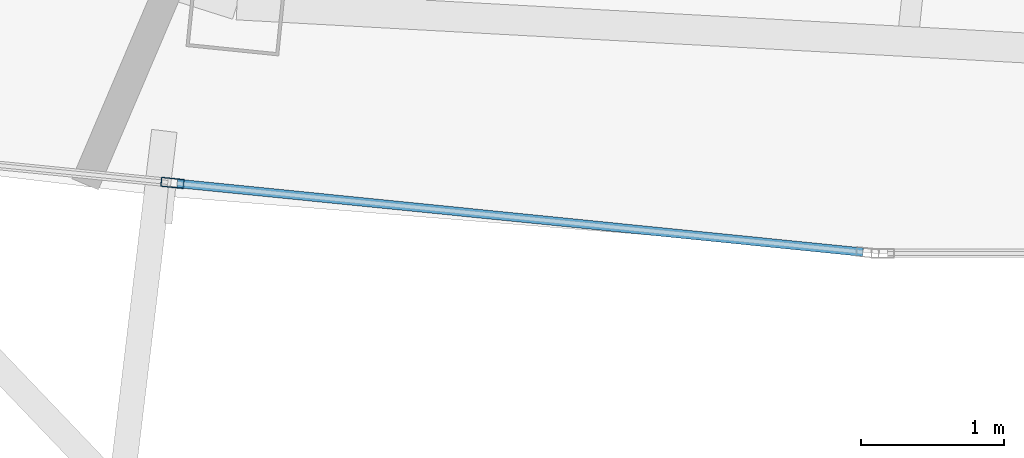
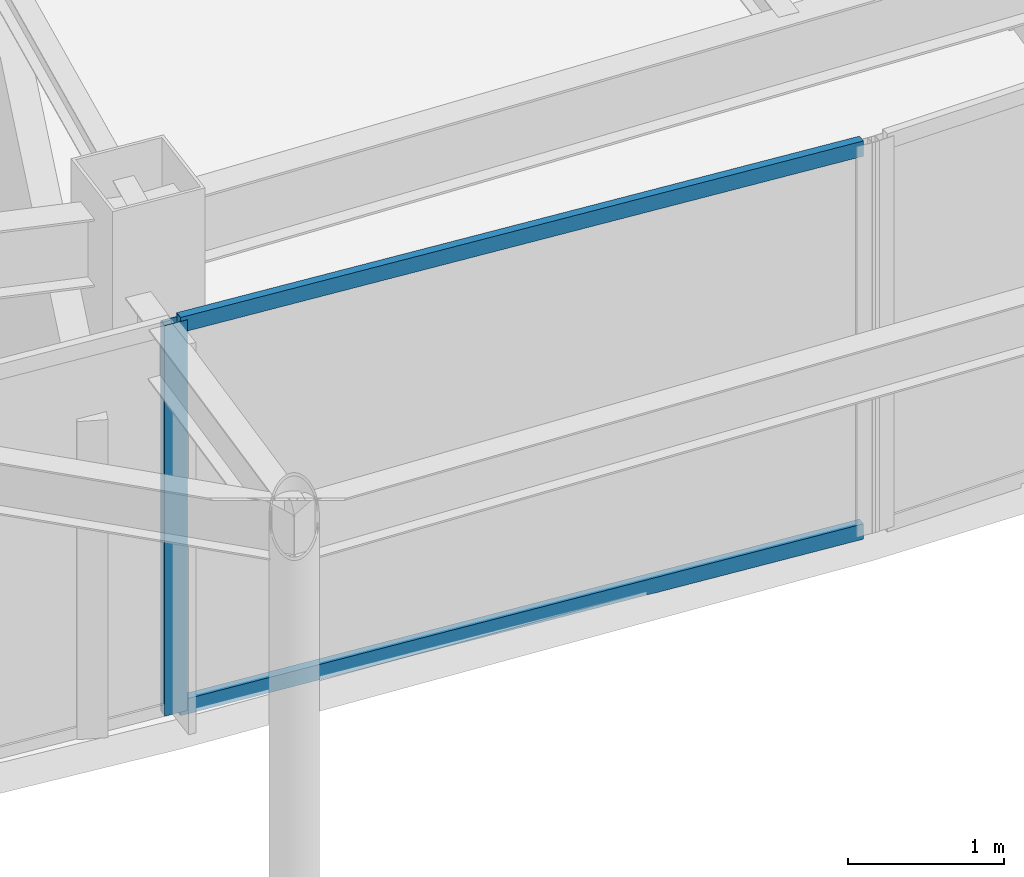
# One storey, part 4 of 28: 3 members, 1 element without a shape of its own.
"""IFC4 building model written with IfcOpenShell, lengths in metres."""

from ifc_helpers import new_model, si_unit, direction, frame, origin, origin_2d, place, context, subcontext, project, spatial, hollow_rectangle, extrude, material, layer, layer_set, material_profile, profile_set, type_object, element, aggregate, save


model = new_model("IFC4")

# Units and contexts
model_context = context("Model", 3, precision=1e-05, world=origin(), true_north=direction((0.0, 1.0)))
body_context = subcontext(model_context, "Body", "Model", "MODEL_VIEW")
ifc_project = project(units=[si_unit("LENGTHUNIT", "METRE"), si_unit("AREAUNIT", "SQUARE_METRE"), si_unit("VOLUMEUNIT", "CUBIC_METRE"), si_unit("PLANEANGLEUNIT", "RADIAN"), si_unit("MASSUNIT", "GRAM", prefix="KILO")], contexts=[model_context])

# Site, building, storey
site_placement = place(None, origin())
site = spatial("IfcSite", under=ifc_project, at=site_placement, CompositionType="ELEMENT")
building_placement = place(site_placement, origin())
building = spatial("IfcBuilding", under=site, at=building_placement, Name="Orvanel Arch Residences", CompositionType="ELEMENT")
storey_placement = place(building_placement, frame((0.0, 0.0, 263.449951171875)))
storey = spatial("IfcBuildingStorey", under=building, at=storey_placement, Name="L75", CompositionType="ELEMENT", Elevation=263.449951171875)

# Curtain wall, members
ifc_material = material(Name="Bronze-anodised aluminium AA6063-T6", Category="aluminium")
ifc_layer = layer(ifc_material, 0.175048828125)
ifc_layer_set = layer_set([ifc_layer], Name="Bronze-anodised aluminium AA6063-T6")
curtain_wall_type = type_object("IfcCurtainWallType", Name="CW4-HI-SYS", PredefinedType="NOTDEFINED", material=ifc_layer_set)
curtain_wall_placement = place(storey_placement, origin())
curtain_wall = element("IfcCurtainWall", 1, at=curtain_wall_placement, inside=storey, type_object=curtain_wall_type, Name="L75 CW4-HI-SYS Unitised Curtain Wall", PredefinedType="NOTDEFINED")
ifc_material_profile_1 = material_profile(ifc_material, hollow_rectangle(XDim=0.06494140625, YDim=0.159912109375, WallThickness=0.00390625, at=origin_2d()), Name="ALU160x65x4")
ifc_profile_set_1 = profile_set([ifc_material_profile_1], Name="Bronze-anodised aluminium AA6063-T6")
member_type_1 = type_object("IfcMemberType", Name="MUL-160x65", PredefinedType="MULLION", material=ifc_profile_set_1)
member_1_placement = place(storey_placement, frame((23.198486328125, 6.113525390625, 0.0), z_axis=(0.0, 0.0, 1.0), x_axis=(0.099796405352, 0.995007878099, 0.0)))
member_1 = element("IfcMember", 2, at=member_1_placement, type_object=member_type_1, Name="CW-S4 mullion 2", PredefinedType="MULLION", context=body_context, shape_type="SweptSolid", body=[
    extrude(hollow_rectangle(XDim=0.06494140625, YDim=0.159912109375, WallThickness=0.00390625, at=origin_2d()), origin(), (0.0, 0.0, 1.0), 3.06005859375),
])
ifc_material_profile_2 = material_profile(ifc_material, hollow_rectangle(XDim=0.06005859375, YDim=0.1201171875, WallThickness=0.00341796875, at=origin_2d()), Name="ALU120x60x3.5")
ifc_profile_set_2 = profile_set([ifc_material_profile_2], Name="Bronze-anodised aluminium AA6063-T6")
member_type_2 = type_object("IfcMemberType", Name="TRN-120x60", PredefinedType="USERDEFINED", material=ifc_profile_set_2)
member_2_placement = place(storey_placement, frame((23.23095703125, 6.1103515625, 0.030029296875), z_axis=(0.995003445039, -0.099840594751, 0.0), x_axis=(0.099840594751, 0.995003445039, 0.0)))
member_2 = element("IfcMember", 3, at=member_2_placement, type_object=member_type_2, Name="CW-S4 transom 2.1", ObjectType="TRANSOM", PredefinedType="USERDEFINED", context=body_context, shape_type="SweptSolid", body=[
    extrude(hollow_rectangle(XDim=0.06005859375, YDim=0.1201171875, WallThickness=0.00341796875, at=origin_2d()), origin(), (0.0, 0.0, 1.0), 4.807373046875),
])
member_3_placement = place(storey_placement, frame((23.23095703125, 6.1103515625, 3.030029296875), z_axis=(0.995003445039, -0.099840594751, 0.0), x_axis=(0.099840594751, 0.995003445039, 0.0)))
member_3 = element("IfcMember", 4, at=member_3_placement, type_object=member_type_2, Name="CW-S4 transom 2.2", ObjectType="TRANSOM", PredefinedType="USERDEFINED", context=body_context, shape_type="SweptSolid", body=[
    extrude(hollow_rectangle(XDim=0.06005859375, YDim=0.1201171875, WallThickness=0.00341796875, at=origin_2d()), origin(), (0.0, 0.0, 1.0), 4.807373046875),
])
aggregate(curtain_wall, [member_1, member_2, member_3])

save(model, "model.ifc")
